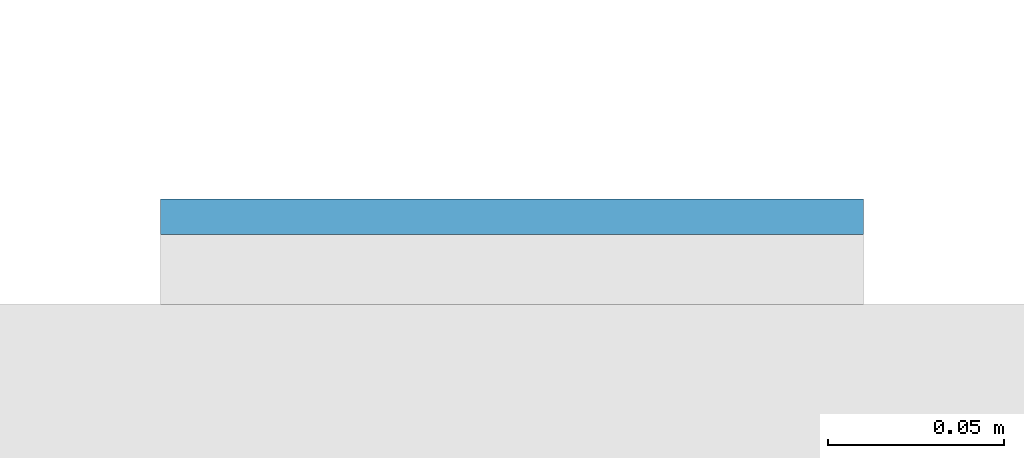
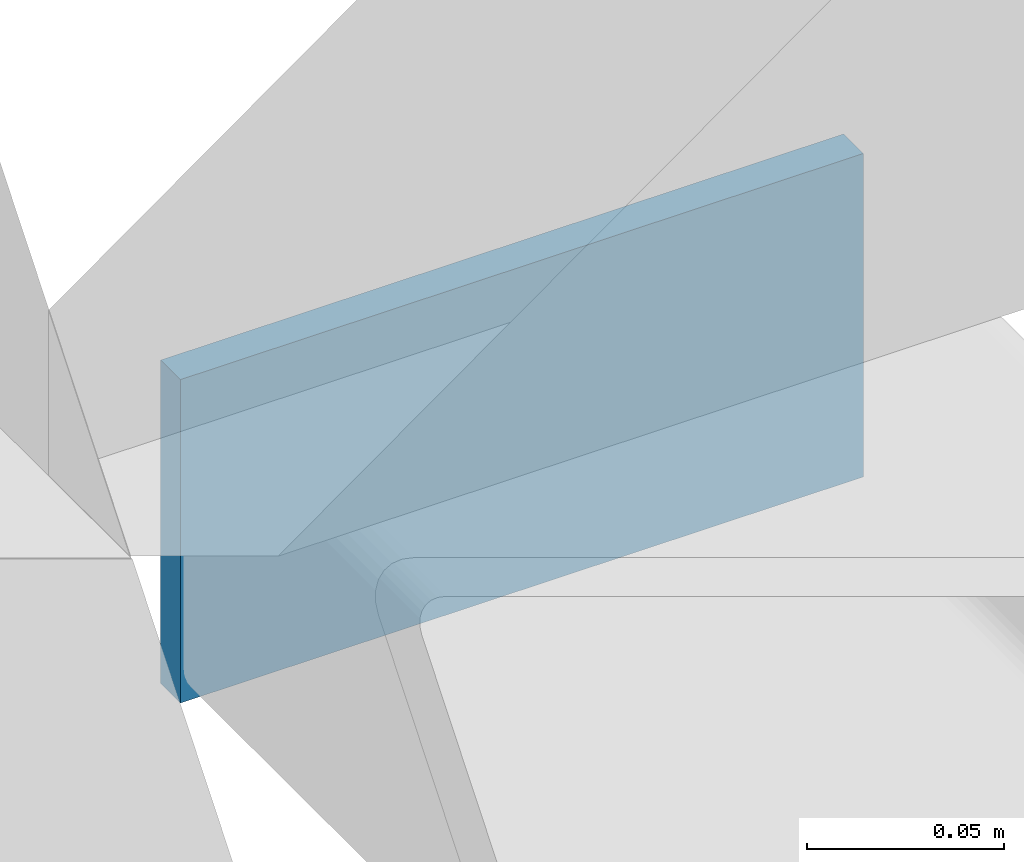
# One storey, part 9 of 16: 1 plate.
"""IFC4 building model written with IfcOpenShell, lengths in metres."""

from ifc_helpers import new_model, si_unit, direction, frame, origin, origin_2d, place, context, subcontext, project, spatial, rectangle, extrude, material, layer, layer_set, type_object, element, save


model = new_model("IFC4")

# Units and contexts
model_context = context("Model", 3, precision=1e-05, world=origin(), true_north=direction((0.0, 1.0)))
body_context = subcontext(model_context, "Body", "Model", "MODEL_VIEW")
ifc_project = project(units=[si_unit("LENGTHUNIT", "METRE"), si_unit("AREAUNIT", "SQUARE_METRE"), si_unit("VOLUMEUNIT", "CUBIC_METRE"), si_unit("PLANEANGLEUNIT", "RADIAN"), si_unit("MASSUNIT", "GRAM", prefix="KILO")], contexts=[model_context])

# Site, building, storey
site_placement = place(None, origin())
site = spatial("IfcSite", under=ifc_project, at=site_placement, CompositionType="ELEMENT")
building_placement = place(site_placement, origin())
building = spatial("IfcBuilding", under=site, at=building_placement, Name="Cleftline Residences", CompositionType="ELEMENT")
storey_placement = place(building_placement, frame((0.0, 0.0, 218.199951171875)))
storey = spatial("IfcBuildingStorey", under=building, at=storey_placement, Name="L57", CompositionType="ELEMENT", Elevation=218.199951171875)

# Plate
ifc_material = material(Name="Steel S355, hot-dip galvanised", Category="steel")
ifc_layer = layer(ifc_material, 0.010009765625)
ifc_layer_set = layer_set([ifc_layer], Name="BAGUETTE CARRIER END PLATE 200X100X10")
plate_type = type_object("IfcPlateType", Name="BAGUETTE CARRIER END PLATE 200X100X10", PredefinedType="USERDEFINED", material=ifc_layer_set)
plate_placement = place(storey_placement, frame((66.85009765625, 44.304931640625, -0.10009765625), z_axis=(0.0, 0.0, 1.0), x_axis=(1.0, 0.0, 0.0)))
element("IfcPlate", 1, at=plate_placement, inside=storey, type_object=plate_type, Name="Baguette carrier end plate", ObjectType="BAGUETTE CARRIER END PLATE", PredefinedType="USERDEFINED", context=body_context, shape_type="SweptSolid", body=[
    extrude(rectangle(XDim=0.199951171875, YDim=0.010009765625, at=origin_2d()), origin(), (0.0, 0.0, 1.0), 0.10009765625),
])

save(model, "model.ifc")
